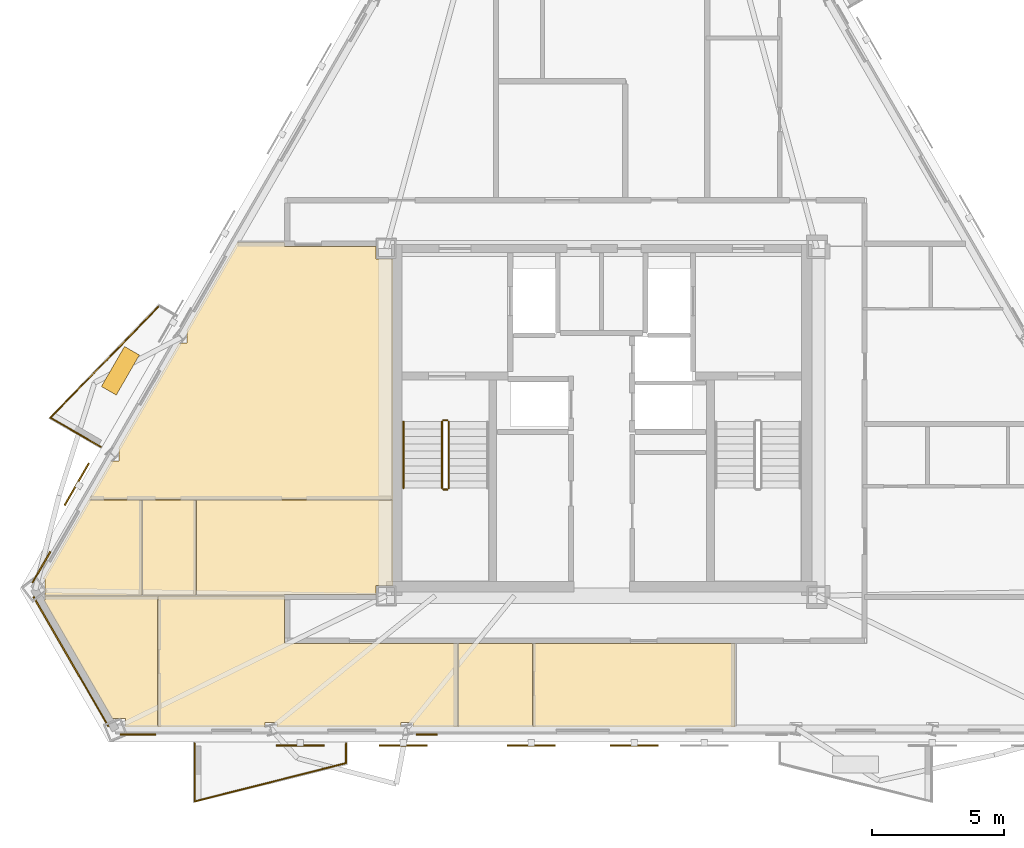
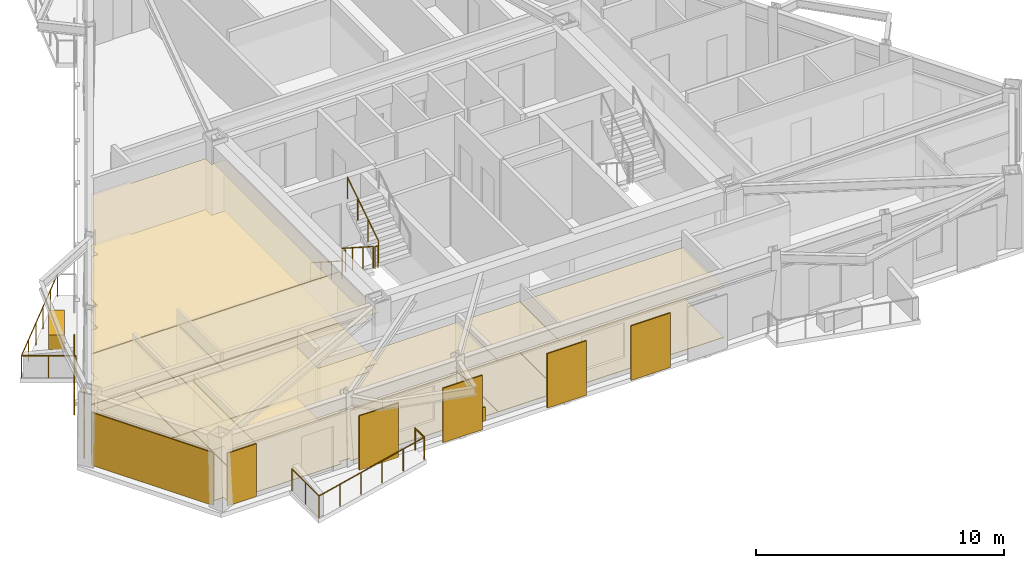
# One storey, part 7 of 9: 21 coverings, 10 railings, 5 shading devices.
"""IFC4 building model written with IfcOpenShell, lengths in metres."""

from ifc_helpers import new_model, si_unit, direction, frame, origin, origin_2d, place, context, subcontext, project, spatial, polyline, rectangle, circle, outline, extrude, material, layer, layer_set, type_object, element, save


model = new_model("IFC4")

# Units and contexts
model_context = context("Model", 3, precision=1e-05, world=origin(), true_north=direction((0.0, 1.0)))
body_context = subcontext(model_context, "Body", "Model", "MODEL_VIEW")
ifc_project = project(units=[si_unit("LENGTHUNIT", "METRE"), si_unit("AREAUNIT", "SQUARE_METRE"), si_unit("VOLUMEUNIT", "CUBIC_METRE"), si_unit("PLANEANGLEUNIT", "RADIAN"), si_unit("MASSUNIT", "GRAM", prefix="KILO")], contexts=[model_context])

# Site, building, storey
site_placement = place(None, origin())
site = spatial("IfcSite", under=ifc_project, at=site_placement, CompositionType="ELEMENT")
building_placement = place(site_placement, origin())
building = spatial("IfcBuilding", under=site, at=building_placement, Name="Oramaril Tower", CompositionType="ELEMENT")
storey_placement = place(building_placement, frame((0.0, 0.0, 230.699951171875)))
storey = spatial("IfcBuildingStorey", under=building, at=storey_placement, Name="L61", CompositionType="ELEMENT", Elevation=230.699951171875)

# Coverings
ifc_material_1 = material(Name="Mineral Fibre Acoustic Ceiling")
ifc_layer_1 = layer(ifc_material_1, 0.02001953125)
ifc_layer_set_1 = layer_set([ifc_layer_1], Name="CVT-CEIL")
covering_type_1 = type_object("IfcCoveringType", Name="CVT-CEIL", PredefinedType="CEILING", material=ifc_layer_set_1)
covering_1_placement = place(storey_placement, frame((0.0, 0.0, 2.511962890625)))
element("IfcCovering", 1, at=covering_1_placement, inside=storey, type_object=covering_type_1, Name="L61 Acoustic Suspended Ceiling 5", PredefinedType="CEILING", context=body_context, shape_type="SweptSolid", body=[
    extrude(outline(polyline([(32.0419921875, 6.022216796875), (30.360595703125, 6.022216796875), (30.360595703125, 6.197998046875), (29.910888671875, 6.197998046875), (29.910888671875, 6.022216796875), (25.208984375, 6.022216796875), (25.208984375, 6.197998046875), (24.752197265625, 6.197998046875), (24.752197265625, 6.022216796875), (20.703125, 6.022216796875), (20.703125, 10.991943359375), (25.5, 10.991943359375), (25.5, 9.219970703125), (25.5, 9.218017578125), (25.50048828125, 9.216064453125), (25.5009765625, 9.214111328125), (25.50146484375, 9.21240234375), (25.50244140625, 9.210693359375), (25.50341796875, 9.208984375), (25.50439453125, 9.207275390625), (25.505859375, 9.205810546875), (25.50732421875, 9.20458984375), (25.5087890625, 9.203369140625), (25.510498046875, 9.202392578125), (25.51220703125, 9.201416015625), (25.51416015625, 9.200927734375), (25.51611328125, 9.200439453125), (25.51806640625, 9.2001953125), (25.52001953125, 9.199951171875), (32.0419921875, 9.199951171875), (32.0419921875, 6.022216796875)])), origin(), (0.0, 0.0, 1.0), 0.02001953125),
])
covering_2_placement = place(storey_placement, frame((0.0, 0.0, 2.511962890625)))
element("IfcCovering", 2, at=covering_2_placement, inside=storey, type_object=covering_type_1, Name="L61 Acoustic Suspended Ceiling 6", PredefinedType="CEILING", context=body_context, shape_type="SweptSolid", body=[
    extrude(outline(polyline([(19.472412109375, 6.022216796875), (19.472412109375, 6.348388671875), (18.976318359375, 6.348388671875), (16.385986328125, 10.835205078125), (16.428466796875, 10.835205078125), (16.428466796875, 10.991943359375), (20.68310546875, 10.991943359375), (20.68310546875, 6.022216796875), (19.472412109375, 6.022216796875)])), origin(), (0.0, 0.0, 1.0), 0.02001953125),
])
covering_3_placement = place(storey_placement, frame((0.0, 0.0, 2.511962890625)))
element("IfcCovering", 3, at=covering_3_placement, inside=storey, type_object=covering_type_1, Name="L61 Acoustic Suspended Ceiling 7", PredefinedType="CEILING", context=body_context, shape_type="SweptSolid", body=[
    extrude(outline(polyline([(34.89794921875, 6.022216796875), (34.89794921875, 9.199951171875), (42.5419921875, 9.199951171875), (42.5419921875, 6.022216796875), (34.89794921875, 6.022216796875)])), origin(), (0.0, 0.0, 1.0), 0.02001953125),
])
covering_4_placement = place(storey_placement, frame((0.0, 0.0, 2.511962890625)))
element("IfcCovering", 4, at=covering_4_placement, inside=storey, type_object=covering_type_1, Name="L61 Acoustic Suspended Ceiling 8", PredefinedType="CEILING", context=body_context, shape_type="SweptSolid", body=[
    extrude(outline(polyline([(32.06201171875, 6.022216796875), (32.06201171875, 9.199951171875), (34.8779296875, 9.199951171875), (34.8779296875, 6.022216796875), (32.06201171875, 6.022216796875)])), origin(), (0.0, 0.0, 1.0), 0.02001953125),
])
covering_5_placement = place(storey_placement, frame((0.0, 0.0, 2.511962890625)))
element("IfcCovering", 5, at=covering_5_placement, inside=storey, type_object=covering_type_1, Name="L61 Acoustic Suspended Ceiling 12", PredefinedType="CEILING", context=body_context, shape_type="SweptSolid", body=[
    extrude(outline(polyline([(28.955078125, 23.7548828125), (29.60009765625, 23.7548828125), (29.60009765625, 14.651611328125), (18.0986328125, 14.651611328125), (18.929931640625, 16.091552734375), (19.2255859375, 16.091552734375), (19.2255859375, 16.578125), (19.2109375, 16.578125), (21.50927734375, 20.55908203125), (21.80517578125, 20.55908203125), (21.80517578125, 21.039306640625), (21.78662109375, 21.039306640625), (23.704833984375, 24.362060546875), (25.5, 24.362060546875), (25.5, 24.239990234375), (25.5, 24.238037109375), (25.50048828125, 24.236083984375), (25.5009765625, 24.234130859375), (25.50146484375, 24.232421875), (25.50244140625, 24.230712890625), (25.50341796875, 24.22900390625), (25.50439453125, 24.227294921875), (25.505859375, 24.225830078125), (25.50732421875, 24.224609375), (25.5087890625, 24.223388671875), (25.510498046875, 24.222412109375), (25.51220703125, 24.221435546875), (25.51416015625, 24.220947265625), (25.51611328125, 24.220458984375), (25.51806640625, 24.22021484375), (25.52001953125, 24.219970703125), (28.955078125, 24.219970703125), (28.955078125, 23.7548828125)])), origin(), (0.0, 0.0, 1.0), 0.02001953125),
])
covering_6_placement = place(storey_placement, frame((0.0, 0.0, 2.511962890625)))
element("IfcCovering", 6, at=covering_6_placement, inside=storey, type_object=covering_type_1, Name="L61 Acoustic Suspended Ceiling 13", PredefinedType="CEILING", context=body_context, shape_type="SweptSolid", body=[
    extrude(outline(polyline([(16.428466796875, 11.630126953125), (16.354248046875, 11.630126953125), (18.088623046875, 14.63427734375), (18.089111328125, 14.634033203125), (18.0908203125, 14.63330078125), (18.0927734375, 14.632568359375), (18.0947265625, 14.632080078125), (18.0966796875, 14.631591796875), (18.0986328125, 14.631591796875), (20.103515625, 14.631591796875), (20.103515625, 11.011962890625), (16.428466796875, 11.011962890625), (16.428466796875, 11.630126953125)])), origin(), (0.0, 0.0, 1.0), 0.02001953125),
])
covering_7_placement = place(storey_placement, frame((0.0, 0.0, 2.511962890625)))
element("IfcCovering", 7, at=covering_7_placement, inside=storey, type_object=covering_type_1, Name="L61 Acoustic Suspended Ceiling 14", PredefinedType="CEILING", context=body_context, shape_type="SweptSolid", body=[
    extrude(outline(polyline([(22.1533203125, 11.011962890625), (20.703125, 11.011962890625), (20.701171875, 11.011962890625), (20.69921875, 11.01171875), (20.697265625, 11.010986328125), (20.6953125, 11.010498046875), (20.693603515625, 11.009521484375), (20.693115234375, 11.00927734375), (20.6923828125, 11.009521484375), (20.69091796875, 11.010498046875), (20.68896484375, 11.010986328125), (20.68701171875, 11.01171875), (20.68505859375, 11.011962890625), (20.68310546875, 11.011962890625), (20.123291015625, 11.011962890625), (20.123291015625, 14.631591796875), (22.1533203125, 14.631591796875), (22.1533203125, 11.011962890625)])), origin(), (0.0, 0.0, 1.0), 0.02001953125),
])
covering_8_placement = place(storey_placement, frame((0.0, 0.0, 2.511962890625)))
element("IfcCovering", 8, at=covering_8_placement, inside=storey, type_object=covering_type_1, Name="L61 Acoustic Suspended Ceiling 15", PredefinedType="CEILING", context=body_context, shape_type="SweptSolid", body=[
    extrude(outline(polyline([(29.60009765625, 11.39501953125), (28.955078125, 11.39501953125), (28.955078125, 11.050048828125), (25.52001953125, 11.050048828125), (25.51806640625, 11.0498046875), (25.51611328125, 11.049560546875), (25.51416015625, 11.049072265625), (25.51220703125, 11.048583984375), (25.510498046875, 11.047607421875), (25.5087890625, 11.046630859375), (25.50732421875, 11.04541015625), (25.505859375, 11.044189453125), (25.50439453125, 11.042724609375), (25.50341796875, 11.041015625), (25.50244140625, 11.039306640625), (25.50146484375, 11.03759765625), (25.5009765625, 11.035888671875), (25.50048828125, 11.033935546875), (25.5, 11.031982421875), (25.5, 11.030029296875), (25.5, 11.011962890625), (22.17333984375, 11.011962890625), (22.17333984375, 14.631591796875), (29.60009765625, 14.631591796875), (29.60009765625, 11.39501953125)])), origin(), (0.0, 0.0, 1.0), 0.02001953125),
])
ifc_material_2 = material(Name="Warm Cream Limestone", Category="masonry")
ifc_layer_2 = layer(ifc_material_2, 0.050048828125)
ifc_layer_set_2 = layer_set([ifc_layer_2], Name="CVT-CLD")
covering_type_2 = type_object("IfcCoveringType", Name="CVT-CLD", PredefinedType="CLADDING", material=ifc_layer_set_2)
covering_9_placement = place(storey_placement, frame((17.413818359375, 8.503173828125, 0.0400390625), z_axis=(0.0, 0.0, 1.0), x_axis=(0.499990930976, -0.866030639725, 0.0)))
element("IfcCovering", 9, at=covering_9_placement, inside=storey, type_object=covering_type_2, Name="L61 Warm Cream Limestone Cladding", PredefinedType="CLADDING", context=body_context, shape_type="SweptSolid", body=[
    extrude(rectangle(XDim=5.673095703125, YDim=0.050048828125, at=origin_2d()), origin(), (0.0, 0.0, 1.0), 2.596923828125),
])
covering_10_placement = place(storey_placement, frame((19.952392578125, 5.74609375, 0.0400390625), z_axis=(0.0, 0.0, 1.0), x_axis=(1.0, 0.0, 0.0)))
element("IfcCovering", 10, at=covering_10_placement, inside=storey, type_object=covering_type_2, Name="L61 Warm Cream Limestone Cladding", PredefinedType="CLADDING", context=body_context, shape_type="SweptSolid", body=[
    extrude(rectangle(XDim=1.35009765625, YDim=0.050048828125, at=origin_2d()), origin(), (0.0, 0.0, 1.0), 2.596923828125),
])
covering_11_placement = place(storey_placement, frame((30.876953125, 5.74609375, 0.0400390625), z_axis=(0.0, 0.0, 1.0), x_axis=(1.0, 0.0, 0.0)))
element("IfcCovering", 11, at=covering_11_placement, inside=storey, type_object=covering_type_2, Name="L61 Warm Cream Limestone Spandrel Cladding", PredefinedType="CLADDING", context=body_context, shape_type="SweptSolid", body=[
    extrude(rectangle(XDim=0.800048828125, YDim=0.050048828125, at=origin_2d()), origin(), (0.0, 0.0, 1.0), 0.679931640625),
])
covering_12_placement = place(storey_placement, frame((16.29541015625, 12.080322265625, 0.0400390625), z_axis=(0.0, 0.0, 1.0), x_axis=(-0.500001511499, -0.866024531118, 0.0)))
element("IfcCovering", 12, at=covering_12_placement, inside=storey, type_object=covering_type_2, Name="L61 Warm Cream Limestone Cladding", PredefinedType="CLADDING", context=body_context, shape_type="SweptSolid", body=[
    extrude(rectangle(XDim=1.35009765625, YDim=0.050048828125, at=origin_2d()), origin(), (0.0, 0.0, 1.0), 2.596923828125),
])
covering_13_placement = place(storey_placement, frame((19.28515625, 19.51611328125, 0.0), z_axis=(0.0, 0.0, 1.0), x_axis=(-0.500001511499, -0.866024531118, 0.0)))
element("IfcCovering", 13, at=covering_13_placement, inside=storey, type_object=covering_type_2, Name="L61 Structural Tree Planter Box L61-BAL-NW2", PredefinedType="CLADDING", context=body_context, shape_type="SweptSolid", body=[
    extrude(rectangle(XDim=1.75, YDim=0.64990234375, at=origin_2d()), origin(), (0.0, 0.0, 1.0), 0.699951171875),
])
ifc_material_3 = material(Name="Honed Quartzite Stone Flooring", Category="masonry")
ifc_layer_3 = layer(ifc_material_3, 0.02490234375)
ifc_layer_set_3 = layer_set([ifc_layer_3], Name="CVT-FLR")
covering_type_3 = type_object("IfcCoveringType", Name="CVT-FLR", PredefinedType="FLOORING", material=ifc_layer_set_3)
covering_14_placement = place(storey_placement, origin())
element("IfcCovering", 14, at=covering_14_placement, inside=storey, type_object=covering_type_3, Name="L61 Honed Stone Floor Finish 5", PredefinedType="FLOORING", context=body_context, shape_type="SweptSolid", body=[
    extrude(outline(polyline([(32.0419921875, 6.022216796875), (30.360595703125, 6.022216796875), (30.360595703125, 6.197998046875), (29.910888671875, 6.197998046875), (29.910888671875, 6.022216796875), (25.208984375, 6.022216796875), (25.208984375, 6.197998046875), (24.752197265625, 6.197998046875), (24.752197265625, 6.022216796875), (20.703125, 6.022216796875), (20.703125, 10.991943359375), (25.5, 10.991943359375), (25.5, 9.219970703125), (25.5, 9.218017578125), (25.50048828125, 9.216064453125), (25.5009765625, 9.214111328125), (25.50146484375, 9.21240234375), (25.50244140625, 9.210693359375), (25.50341796875, 9.208984375), (25.50439453125, 9.207275390625), (25.505859375, 9.205810546875), (25.50732421875, 9.20458984375), (25.5087890625, 9.203369140625), (25.510498046875, 9.202392578125), (25.51220703125, 9.201416015625), (25.51416015625, 9.200927734375), (25.51611328125, 9.200439453125), (25.51806640625, 9.2001953125), (25.52001953125, 9.199951171875), (32.0419921875, 9.199951171875), (32.0419921875, 6.022216796875)])), origin(), (0.0, 0.0, 1.0), 0.025146484375),
])
covering_15_placement = place(storey_placement, origin())
element("IfcCovering", 15, at=covering_15_placement, inside=storey, type_object=covering_type_3, Name="L61 Honed Stone Floor Finish 6", PredefinedType="FLOORING", context=body_context, shape_type="SweptSolid", body=[
    extrude(outline(polyline([(19.472412109375, 6.022216796875), (19.472412109375, 6.348388671875), (18.976318359375, 6.348388671875), (16.385986328125, 10.835205078125), (16.428466796875, 10.835205078125), (16.428466796875, 10.991943359375), (20.68310546875, 10.991943359375), (20.68310546875, 6.022216796875), (19.472412109375, 6.022216796875)])), origin(), (0.0, 0.0, 1.0), 0.025146484375),
])
covering_16_placement = place(storey_placement, origin())
element("IfcCovering", 16, at=covering_16_placement, inside=storey, type_object=covering_type_3, Name="L61 Honed Stone Floor Finish 7", PredefinedType="FLOORING", context=body_context, shape_type="SweptSolid", body=[
    extrude(outline(polyline([(34.89794921875, 6.022216796875), (34.89794921875, 9.199951171875), (42.5419921875, 9.199951171875), (42.5419921875, 6.022216796875), (34.89794921875, 6.022216796875)])), origin(), (0.0, 0.0, 1.0), 0.025146484375),
])
covering_17_placement = place(storey_placement, origin())
element("IfcCovering", 17, at=covering_17_placement, inside=storey, type_object=covering_type_3, Name="L61 Honed Stone Floor Finish 8", PredefinedType="FLOORING", context=body_context, shape_type="SweptSolid", body=[
    extrude(outline(polyline([(32.06201171875, 6.022216796875), (32.06201171875, 9.199951171875), (34.8779296875, 9.199951171875), (34.8779296875, 6.022216796875), (32.06201171875, 6.022216796875)])), origin(), (0.0, 0.0, 1.0), 0.025146484375),
])
covering_18_placement = place(storey_placement, origin())
element("IfcCovering", 18, at=covering_18_placement, inside=storey, type_object=covering_type_3, Name="L61 Honed Stone Floor Finish 12", PredefinedType="FLOORING", context=body_context, shape_type="SweptSolid", body=[
    extrude(outline(polyline([(28.955078125, 23.7548828125), (29.60009765625, 23.7548828125), (29.60009765625, 14.651611328125), (18.0986328125, 14.651611328125), (18.929931640625, 16.091552734375), (19.2255859375, 16.091552734375), (19.2255859375, 16.578125), (19.2109375, 16.578125), (21.50927734375, 20.55908203125), (21.80517578125, 20.55908203125), (21.80517578125, 21.039306640625), (21.78662109375, 21.039306640625), (23.704833984375, 24.362060546875), (25.5, 24.362060546875), (25.5, 24.239990234375), (25.5, 24.238037109375), (25.50048828125, 24.236083984375), (25.5009765625, 24.234130859375), (25.50146484375, 24.232421875), (25.50244140625, 24.230712890625), (25.50341796875, 24.22900390625), (25.50439453125, 24.227294921875), (25.505859375, 24.225830078125), (25.50732421875, 24.224609375), (25.5087890625, 24.223388671875), (25.510498046875, 24.222412109375), (25.51220703125, 24.221435546875), (25.51416015625, 24.220947265625), (25.51611328125, 24.220458984375), (25.51806640625, 24.22021484375), (25.52001953125, 24.219970703125), (28.955078125, 24.219970703125), (28.955078125, 23.7548828125)])), origin(), (0.0, 0.0, 1.0), 0.025146484375),
])
covering_19_placement = place(storey_placement, origin())
element("IfcCovering", 19, at=covering_19_placement, inside=storey, type_object=covering_type_3, Name="L61 Honed Stone Floor Finish 13", PredefinedType="FLOORING", context=body_context, shape_type="SweptSolid", body=[
    extrude(outline(polyline([(16.428466796875, 11.630126953125), (16.354248046875, 11.630126953125), (18.088623046875, 14.63427734375), (18.089111328125, 14.634033203125), (18.0908203125, 14.63330078125), (18.0927734375, 14.632568359375), (18.0947265625, 14.632080078125), (18.0966796875, 14.631591796875), (18.0986328125, 14.631591796875), (20.103515625, 14.631591796875), (20.103515625, 11.011962890625), (16.428466796875, 11.011962890625), (16.428466796875, 11.630126953125)])), origin(), (0.0, 0.0, 1.0), 0.025146484375),
])
covering_20_placement = place(storey_placement, origin())
element("IfcCovering", 20, at=covering_20_placement, inside=storey, type_object=covering_type_3, Name="L61 Honed Stone Floor Finish 14", PredefinedType="FLOORING", context=body_context, shape_type="SweptSolid", body=[
    extrude(outline(polyline([(22.1533203125, 11.011962890625), (20.703125, 11.011962890625), (20.701171875, 11.011962890625), (20.69921875, 11.01171875), (20.697265625, 11.010986328125), (20.6953125, 11.010498046875), (20.693603515625, 11.009521484375), (20.693115234375, 11.00927734375), (20.6923828125, 11.009521484375), (20.69091796875, 11.010498046875), (20.68896484375, 11.010986328125), (20.68701171875, 11.01171875), (20.68505859375, 11.011962890625), (20.68310546875, 11.011962890625), (20.123291015625, 11.011962890625), (20.123291015625, 14.631591796875), (22.1533203125, 14.631591796875), (22.1533203125, 11.011962890625)])), origin(), (0.0, 0.0, 1.0), 0.025146484375),
])
covering_21_placement = place(storey_placement, origin())
element("IfcCovering", 21, at=covering_21_placement, inside=storey, type_object=covering_type_3, Name="L61 Honed Stone Floor Finish 15", PredefinedType="FLOORING", context=body_context, shape_type="SweptSolid", body=[
    extrude(outline(polyline([(29.60009765625, 11.39501953125), (28.955078125, 11.39501953125), (28.955078125, 11.050048828125), (25.52001953125, 11.050048828125), (25.51806640625, 11.0498046875), (25.51611328125, 11.049560546875), (25.51416015625, 11.049072265625), (25.51220703125, 11.048583984375), (25.510498046875, 11.047607421875), (25.5087890625, 11.046630859375), (25.50732421875, 11.04541015625), (25.505859375, 11.044189453125), (25.50439453125, 11.042724609375), (25.50341796875, 11.041015625), (25.50244140625, 11.039306640625), (25.50146484375, 11.03759765625), (25.5009765625, 11.035888671875), (25.50048828125, 11.033935546875), (25.5, 11.031982421875), (25.5, 11.030029296875), (25.5, 11.011962890625), (22.17333984375, 11.011962890625), (22.17333984375, 14.631591796875), (29.60009765625, 14.631591796875), (29.60009765625, 11.39501953125)])), origin(), (0.0, 0.0, 1.0), 0.025146484375),
])

# Railings
ifc_material_4 = material(Name="Stainless Steel 316L", Category="steel")
railing_type_1 = type_object("IfcRailingType", Name="RLT-GRD", PredefinedType="GUARDRAIL", material=ifc_material_4)
railing_1_placement = place(storey_placement, frame((27.826904296875, 5.406005859375, 0.0)))
element("IfcRailing", 22, at=railing_1_placement, inside=storey, type_object=railing_type_1, Name="L61 Balcony Guardrail L61-BAL-S1.1", PredefinedType="GUARDRAIL", context=body_context, shape_type="SweptSolid", body=[
    extrude(circle(Radius=0.02392578125, at=origin_2d()), frame((0.0, 0.0, 1.076171875), z_axis=(0.0, -1.0, 0.0), x_axis=(1.0, 0.0, 0.0)), (0.0, 0.0, 1.0), 0.741943359375),
    extrude(circle(Radius=0.02099609375, at=origin_2d()), origin(), (0.0, 0.0, 1.0), 1.052001953125),
    extrude(circle(Radius=0.02099609375, at=origin_2d()), frame((0.0, -0.741943359375, 0.0)), (0.0, 0.0, 1.0), 1.052001953125),
])
railing_2_placement = place(storey_placement, frame((27.826904296875, 4.6640625, 0.0)))
element("IfcRailing", 23, at=railing_2_placement, inside=storey, type_object=railing_type_1, Name="L61 Balcony Guardrail L61-BAL-S1.2", PredefinedType="GUARDRAIL", context=body_context, shape_type="SweptSolid", body=[
    extrude(circle(Radius=0.02392578125, at=origin_2d()), frame((0.0, 0.0, 1.076171875), z_axis=(-0.969446096844, -0.245304433946, 0.0), x_axis=(0.245304433946, -0.969446096844, 0.0)), (0.0, 0.0, 1.0), 5.910888671875),
    extrude(circle(Radius=0.02099609375, at=origin_2d()), origin(), (0.0, 0.0, 1.0), 1.052001953125),
    extrude(circle(Radius=0.02099609375, at=origin_2d()), frame((-1.14599609375, -0.2900390625, 0.0)), (0.0, 0.0, 1.0), 1.052001953125),
    extrude(circle(Radius=0.02099609375, at=origin_2d()), frame((-2.2919921875, -0.580078125, 0.0)), (0.0, 0.0, 1.0), 1.052001953125),
    extrude(circle(Radius=0.02099609375, at=origin_2d()), frame((-3.438232421875, -0.869873046875, 0.0)), (0.0, 0.0, 1.0), 1.052001953125),
    extrude(circle(Radius=0.02099609375, at=origin_2d()), frame((-4.584228515625, -1.159912109375, 0.0)), (0.0, 0.0, 1.0), 1.052001953125),
    extrude(circle(Radius=0.02099609375, at=origin_2d()), frame((-5.730224609375, -1.449951171875, 0.0)), (0.0, 0.0, 1.0), 1.052001953125),
])
railing_3_placement = place(storey_placement, frame((22.0966796875, 3.214111328125, 0.0)))
element("IfcRailing", 24, at=railing_3_placement, inside=storey, type_object=railing_type_1, Name="L61 Balcony Guardrail L61-BAL-S1.3", PredefinedType="GUARDRAIL", context=body_context, shape_type="SweptSolid", body=[
    extrude(circle(Radius=0.02392578125, at=origin_2d()), frame((0.0, 0.0, 1.076171875), z_axis=(0.0, 1.0, 0.0), x_axis=(-1.0, 0.0, 0.0)), (0.0, 0.0, 1.0), 2.19189453125),
    extrude(circle(Radius=0.02099609375, at=origin_2d()), origin(), (0.0, 0.0, 1.0), 1.052001953125),
    extrude(circle(Radius=0.02099609375, at=origin_2d()), frame((0.0, 1.095947265625, 0.0)), (0.0, 0.0, 1.0), 1.052001953125),
    extrude(circle(Radius=0.02099609375, at=origin_2d()), frame((0.0, 2.19189453125, 0.0)), (0.0, 0.0, 1.0), 1.052001953125),
])
railing_4_placement = place(storey_placement, frame((18.53564453125, 16.640625, 0.0)))
element("IfcRailing", 25, at=railing_4_placement, inside=storey, type_object=railing_type_1, Name="L61 Balcony Guardrail L61-BAL-NW2.1", PredefinedType="GUARDRAIL", context=body_context, shape_type="SweptSolid", body=[
    extrude(circle(Radius=0.02392578125, at=origin_2d()), frame((0.0, 0.0, 1.076171875), z_axis=(-0.866048343933, 0.499960264392, 0.0), x_axis=(-0.499960264392, -0.866048343933, 0.0)), (0.0, 0.0, 1.0), 2.192138671875),
    extrude(circle(Radius=0.02099609375, at=origin_2d()), origin(), (0.0, 0.0, 1.0), 1.052001953125),
    extrude(circle(Radius=0.02099609375, at=origin_2d()), frame((-0.94921875, 0.5478515625, 0.0)), (0.0, 0.0, 1.0), 1.052001953125),
    extrude(circle(Radius=0.02099609375, at=origin_2d()), frame((-1.8984375, 1.095947265625, 0.0)), (0.0, 0.0, 1.0), 1.052001953125),
])
railing_5_placement = place(storey_placement, frame((16.63720703125, 17.736572265625, 0.0)))
element("IfcRailing", 26, at=railing_5_placement, inside=storey, type_object=railing_type_1, Name="L61 Balcony Guardrail L61-BAL-NW2.2", PredefinedType="GUARDRAIL", context=body_context, shape_type="SweptSolid", body=[
    extrude(circle(Radius=0.02392578125, at=origin_2d()), frame((0.0, 0.0, 1.076171875), z_axis=(0.697186915353, 0.716889395277, 0.0), x_axis=(-0.716889395277, 0.697186915353, 0.0)), (0.0, 0.0, 1.0), 5.91064453125),
    extrude(circle(Radius=0.02099609375, at=origin_2d()), origin(), (0.0, 0.0, 1.0), 1.052001953125),
    extrude(circle(Radius=0.02099609375, at=origin_2d()), frame((0.82421875, 0.847412109375, 0.0)), (0.0, 0.0, 1.0), 1.052001953125),
    extrude(circle(Radius=0.02099609375, at=origin_2d()), frame((1.6484375, 1.69482421875, 0.0)), (0.0, 0.0, 1.0), 1.052001953125),
    extrude(circle(Radius=0.02099609375, at=origin_2d()), frame((2.472412109375, 2.54248046875, 0.0)), (0.0, 0.0, 1.0), 1.052001953125),
    extrude(circle(Radius=0.02099609375, at=origin_2d()), frame((3.296630859375, 3.389892578125, 0.0)), (0.0, 0.0, 1.0), 1.052001953125),
    extrude(circle(Radius=0.02099609375, at=origin_2d()), frame((4.120849609375, 4.2373046875, 0.0)), (0.0, 0.0, 1.0), 1.052001953125),
])
railing_6_placement = place(storey_placement, frame((31.4599609375, 17.590087890625, 0.179931640625)))
element("IfcRailing", 27, at=railing_6_placement, inside=storey, type_object=railing_type_1, Name="L61 ST-1 stair guard 1", PredefinedType="GUARDRAIL", context=body_context, shape_type="SweptSolid", body=[
    extrude(circle(Radius=0.02392578125, at=origin_2d()), frame((0.0, 0.0, 1.076171875), z_axis=(0.0, -0.841162588446, 0.540782303519), x_axis=(1.0, 0.0, 0.0)), (0.0, 0.0, 1.0), 2.995849609375),
    extrude(circle(Radius=0.02099609375, at=origin_2d()), origin(), (0.0, 0.0, 1.0), 1.052001953125),
    extrude(circle(Radius=0.02099609375, at=origin_2d()), frame((0.0, -0.840087890625, 0.5400390625)), (0.0, 0.0, 1.0), 1.052001953125),
    extrude(circle(Radius=0.02099609375, at=origin_2d()), frame((0.0, -1.679931640625, 1.080078125)), (0.0, 0.0, 1.0), 1.052001953125),
    extrude(circle(Radius=0.02099609375, at=origin_2d()), frame((0.0, -2.52001953125, 1.6201171875)), (0.0, 0.0, 1.0), 1.052001953125),
])
railing_7_placement = place(storey_placement, frame((31.510009765625, 15.02001953125, 1.800048828125)))
element("IfcRailing", 28, at=railing_7_placement, inside=storey, type_object=railing_type_1, Name="L61 ST-1 stair guard 2", PredefinedType="GUARDRAIL", context=body_context, shape_type="SweptSolid", body=[
    extrude(circle(Radius=0.02392578125, at=origin_2d()), frame((0.0, 0.0, 1.076171875), z_axis=(1.0, 0.0, 0.0), x_axis=(0.0, 1.0, 0.0)), (0.0, 0.0, 1.0), 0.14990234375),
    extrude(circle(Radius=0.02099609375, at=origin_2d()), origin(), (0.0, 0.0, 1.0), 1.052001953125),
    extrude(circle(Radius=0.02099609375, at=origin_2d()), frame((0.14990234375, 0.0, 0.0)), (0.0, 0.0, 1.0), 1.052001953125),
])
railing_8_placement = place(storey_placement, frame((31.7099609375, 15.070068359375, 1.97998046875)))
element("IfcRailing", 29, at=railing_8_placement, inside=storey, type_object=railing_type_1, Name="L61 ST-1 stair guard 3", PredefinedType="GUARDRAIL", context=body_context, shape_type="SweptSolid", body=[
    extrude(circle(Radius=0.02392578125, at=origin_2d()), frame((0.0, 0.0, 1.076171875), z_axis=(0.0, 0.841162588446, 0.540782303519), x_axis=(-1.0, 0.0, 0.0)), (0.0, 0.0, 1.0), 2.995849609375),
    extrude(circle(Radius=0.02099609375, at=origin_2d()), origin(), (0.0, 0.0, 1.0), 1.052001953125),
    extrude(circle(Radius=0.02099609375, at=origin_2d()), frame((0.0, 0.840087890625, 0.5400390625)), (0.0, 0.0, 1.0), 1.052001953125),
    extrude(circle(Radius=0.02099609375, at=origin_2d()), frame((0.0, 1.679931640625, 1.080078125)), (0.0, 0.0, 1.0), 1.052001953125),
    extrude(circle(Radius=0.02099609375, at=origin_2d()), frame((0.0, 2.52001953125, 1.6201171875)), (0.0, 0.0, 1.0), 1.052001953125),
])
railing_9_placement = place(storey_placement, frame((31.510009765625, 17.639892578125, 0.0)))
element("IfcRailing", 30, at=railing_9_placement, inside=storey, type_object=railing_type_1, Name="L61 ST-1 stair guard 4", PredefinedType="GUARDRAIL", context=body_context, shape_type="SweptSolid", body=[
    extrude(circle(Radius=0.02392578125, at=origin_2d()), frame((0.0, 0.0, 1.076171875), z_axis=(1.0, 0.0, 0.0), x_axis=(0.0, 1.0, 0.0)), (0.0, 0.0, 1.0), 0.14990234375),
    extrude(circle(Radius=0.02099609375, at=origin_2d()), origin(), (0.0, 0.0, 1.0), 1.052001953125),
    extrude(circle(Radius=0.02099609375, at=origin_2d()), frame((0.14990234375, 0.0, 0.0)), (0.0, 0.0, 1.0), 1.052001953125),
])
ifc_material_5 = material(Name="Stainless Steel 316L", Category="steel")
railing_type_2 = type_object("IfcRailingType", Name="RLT-HND", PredefinedType="HANDRAIL", material=ifc_material_5)
railing_10_placement = place(storey_placement, frame((30.0, 17.590087890625, 0.179931640625)))
element("IfcRailing", 31, at=railing_10_placement, inside=storey, type_object=railing_type_2, Name="L61 ST-1 stair handrail 1", PredefinedType="HANDRAIL", context=body_context, shape_type="SweptSolid", body=[
    extrude(circle(Radius=0.02392578125, at=origin_2d()), frame((0.0, 0.0, 0.8759765625), z_axis=(0.0, -0.841162588446, 0.540782303519), x_axis=(1.0, 0.0, 0.0)), (0.0, 0.0, 1.0), 2.995849609375),
    extrude(circle(Radius=0.02099609375, at=origin_2d()), origin(), (0.0, 0.0, 1.0), 0.851806640625),
    extrude(circle(Radius=0.02099609375, at=origin_2d()), frame((0.0, -0.840087890625, 0.5400390625)), (0.0, 0.0, 1.0), 0.851806640625),
    extrude(circle(Radius=0.02099609375, at=origin_2d()), frame((0.0, -1.679931640625, 1.080078125)), (0.0, 0.0, 1.0), 0.851806640625),
    extrude(circle(Radius=0.02099609375, at=origin_2d()), frame((0.0, -2.52001953125, 1.6201171875)), (0.0, 0.0, 1.0), 0.851806640625),
])

# Shading devices
for number, where, z_axis, x_axis, name in (
    (32, (26.09228515625, 5.333984375, -0.02001953125), (0.0, 0.0, 1.0), (1.0, 0.0, 0.0), "L61 Perforated Ceramic Solar Screen"),
    (33, (29.9921875, 5.333984375, -0.02001953125), (0.0, 0.0, 1.0), (1.0, 0.0, 0.0), "L61 Perforated Ceramic Solar Screen"),
    (34, (34.8369140625, 5.333984375, -0.02001953125), (0.0, 0.0, 1.0), (1.0, 0.0, 0.0), "L61 Perforated Ceramic Solar Screen"),
    (35, (38.737060546875, 5.333984375, -0.02001953125), (0.0, 0.0, 1.0), (1.0, 0.0, 0.0), "L61 Perforated Ceramic Solar Screen"),
    (36, (17.63330078125, 15.221435546875, -0.02001953125), (0.0, 0.0, 1.0), (-0.500001511499, -0.866024531118, 0.0), "L61 Perforated Ceramic Solar Screen"),
):
    element("IfcShadingDevice", number, at=place(storey_placement, frame(where, z_axis=z_axis, x_axis=x_axis)), inside=storey, Name=name, ObjectType="SCREEN", PredefinedType="USERDEFINED", context=body_context, shape_type="SweptSolid", body=[
        extrude(rectangle(XDim=1.8330078125, YDim=0.050048828125, at=origin_2d()), origin(), (0.0, 0.0, 1.0), 2.677001953125),
    ])

save(model, "model.ifc")
